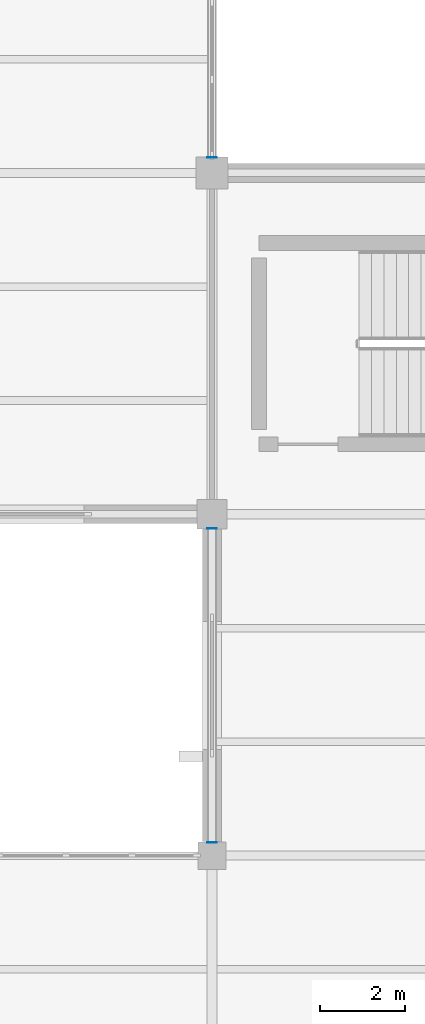
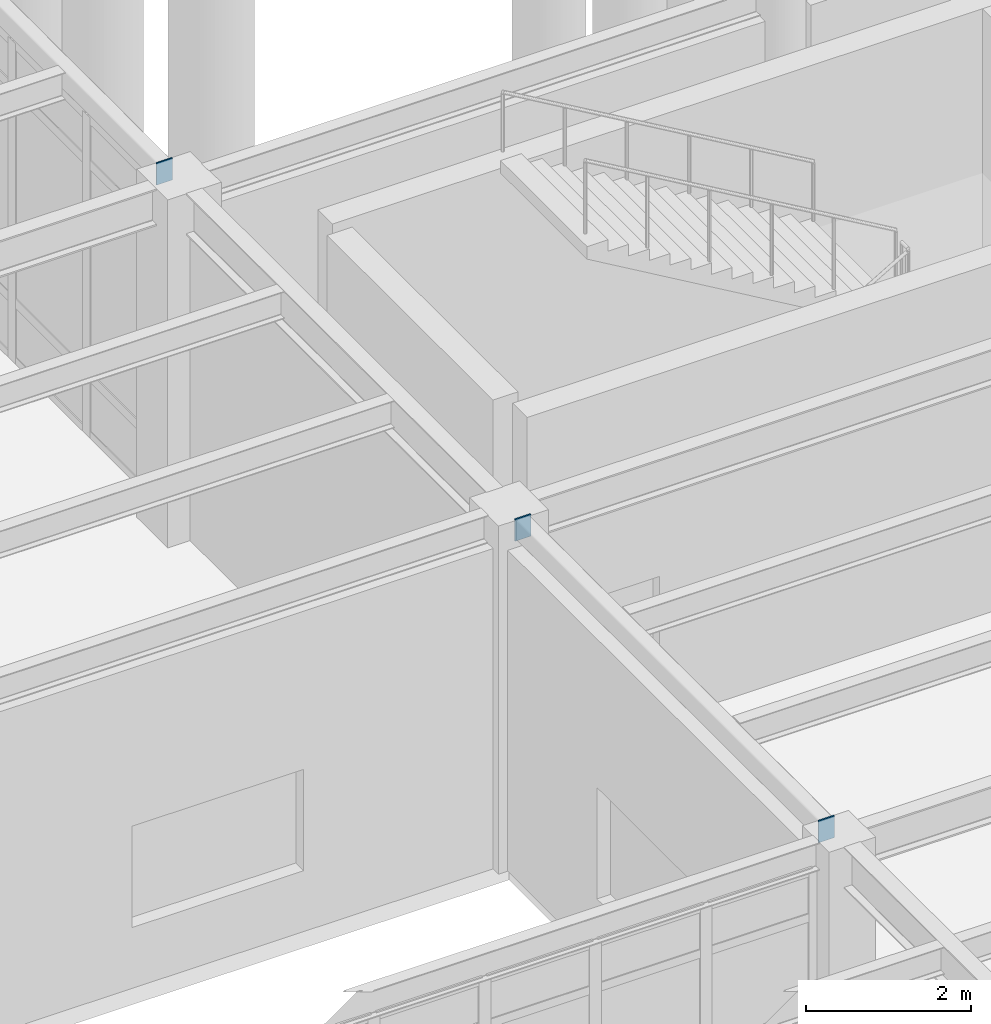
# One storey, part 96 of 138: 3 discrete accessories.
"""IFC4 building model written with IfcOpenShell, lengths in metres."""

from ifc_helpers import new_model, si_unit, direction, frame, origin, origin_2d, place, context, subcontext, project, spatial, rectangle, extrude, material, layer, layer_set, type_object, element, save


model = new_model("IFC4")

# Units and contexts
model_context = context("Model", 3, precision=1e-05, world=origin(), true_north=direction((0.0, 1.0)))
body_context = subcontext(model_context, "Body", "Model", "MODEL_VIEW")
ifc_project = project(units=[si_unit("LENGTHUNIT", "METRE"), si_unit("AREAUNIT", "SQUARE_METRE"), si_unit("VOLUMEUNIT", "CUBIC_METRE"), si_unit("PLANEANGLEUNIT", "RADIAN"), si_unit("MASSUNIT", "GRAM", prefix="KILO")], contexts=[model_context])

# Site, building, storey
site_placement = place(None, origin())
site = spatial("IfcSite", under=ifc_project, at=site_placement, CompositionType="ELEMENT")
building_placement = place(site_placement, origin())
building = spatial("IfcBuilding", under=site, at=building_placement, Name="Kranzveld Transit Interchange", CompositionType="ELEMENT")
storey_placement = place(building_placement, origin())
storey = spatial("IfcBuildingStorey", under=building, at=storey_placement, Name="L00", CompositionType="ELEMENT", Elevation=0.0)

# Discrete accessories
ifc_material = material(Name="Steel S355JR", Category="steel")
ifc_layer = layer(ifc_material, 0.02001953125)
ifc_layer_set = layer_set([ifc_layer], Name="Steel S355JR")
discrete_accessory_type = type_object("IfcDiscreteAccessoryType", Name="Hollow Section End Cap Bracket 20 S355JR", PredefinedType="BRACKET", material=ifc_layer_set)
for number, where, z_axis, x_axis, name in (
    (1, (33.60009765625, 40.319091796875, 5.0), (0.0, -1.0, 0.0), (1.0, 0.0, 0.0), "Hollow Section End Cap SP-RHS300-1"),
    (2, (33.60009765625, 47.656005859375, 5.0), (0.0, 1.0, 0.0), (-1.0, 0.0, 0.0), "Hollow Section End Cap SP-RHS300-2"),
):
    element("IfcDiscreteAccessory", number, at=place(storey_placement, frame(where, z_axis=z_axis, x_axis=x_axis)), inside=storey, type_object=discrete_accessory_type, Name=name, PredefinedType="BRACKET", context=body_context, shape_type="SweptSolid", body=[
        extrude(rectangle(XDim=0.22412109375, YDim=0.323974609375, at=origin_2d()), origin(), (0.0, 0.0, 1.0), 0.02001953125),
    ])
discrete_accessory_placement = place(storey_placement, frame((33.60009765625, 56.368896484375, 5.0), z_axis=(0.0, -1.0, 0.0), x_axis=(1.0, 0.0, 0.0)))
element("IfcDiscreteAccessory", 3, at=discrete_accessory_placement, inside=storey, type_object=discrete_accessory_type, Name="Hollow Section End Cap SP-RHS300-1", PredefinedType="BRACKET", context=body_context, shape_type="SweptSolid", body=[
    extrude(rectangle(XDim=0.22412109375, YDim=0.323974609375, at=origin_2d()), origin(), (0.0, 0.0, 1.0), 0.019775390625),
])

save(model, "model.ifc")
